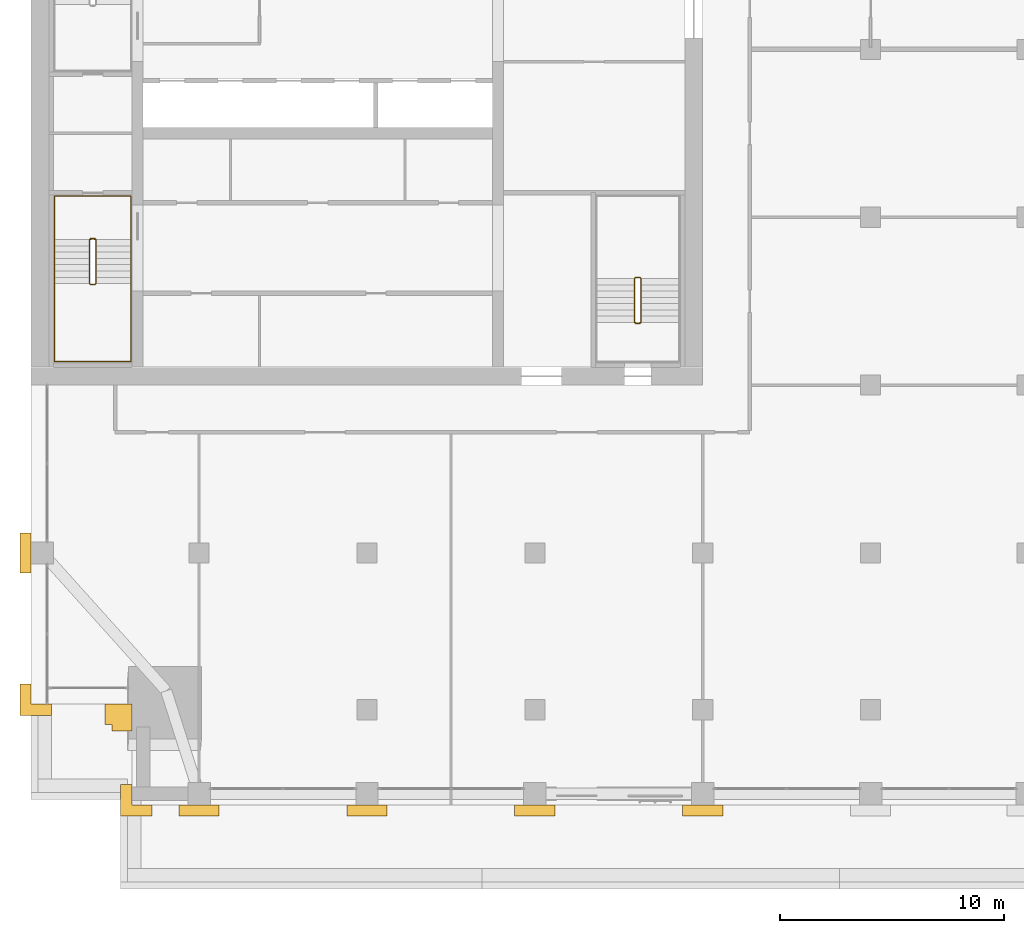
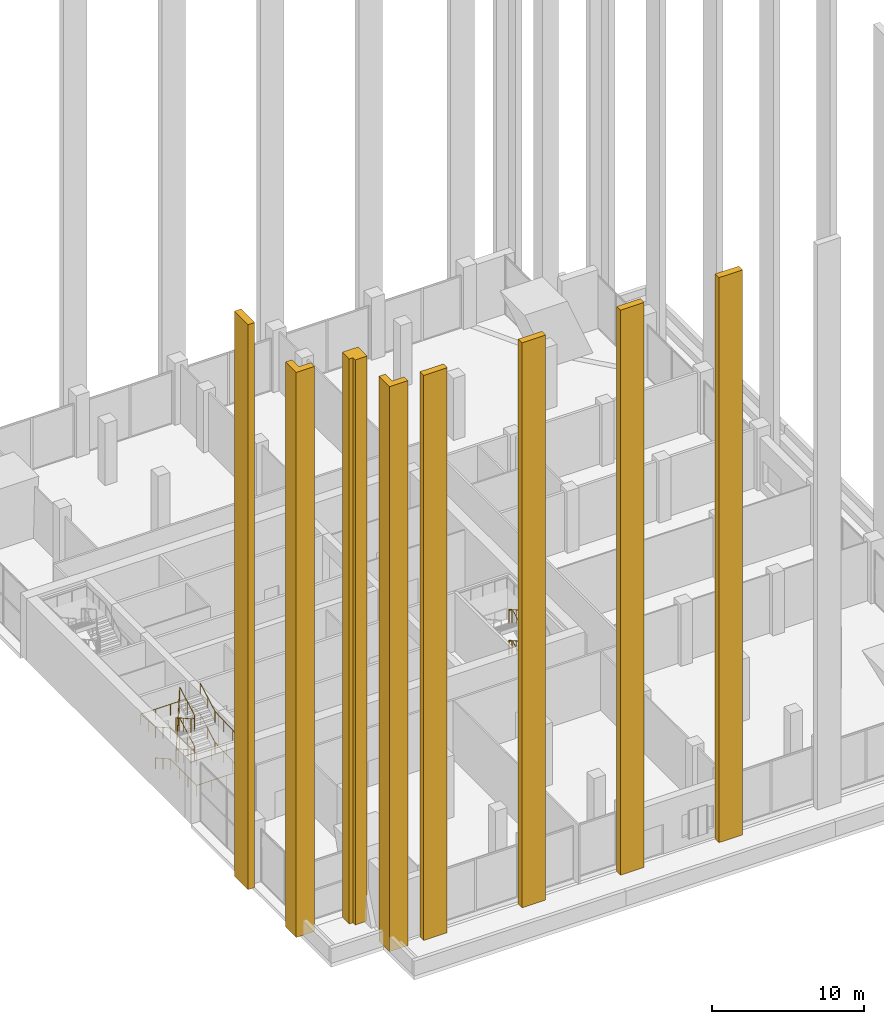
# One storey, part 17 of 19: 8 coverings, 3 railings.
"""IFC4 building model written with IfcOpenShell, lengths in metres."""

from ifc_helpers import new_model, si_unit, direction, frame, origin, origin_2d, place, context, subcontext, project, spatial, polyline, circle, outline, extrude, material, layer, layer_set, type_object, element, save


model = new_model("IFC4")

# Units and contexts
model_context = context("Model", 3, precision=1e-05, world=origin(), true_north=direction((0.0, 1.0)))
body_context = subcontext(model_context, "Body", "Model", "MODEL_VIEW")
ifc_project = project(units=[si_unit("LENGTHUNIT", "METRE"), si_unit("AREAUNIT", "SQUARE_METRE"), si_unit("VOLUMEUNIT", "CUBIC_METRE"), si_unit("PLANEANGLEUNIT", "RADIAN"), si_unit("MASSUNIT", "GRAM", prefix="KILO")], contexts=[model_context])

# Site, building, storey
site_placement = place(None, origin())
site = spatial("IfcSite", under=ifc_project, at=site_placement, CompositionType="ELEMENT")
building_placement = place(site_placement, origin())
building = spatial("IfcBuilding", under=site, at=building_placement, Name="Tamorin Gate", CompositionType="ELEMENT")
storey_placement = place(building_placement, frame((0.0, 0.0, 174.199951171875)))
storey = spatial("IfcBuildingStorey", under=building, at=storey_placement, Name="L42", CompositionType="ELEMENT", Elevation=174.199951171875)

# Coverings
ifc_material_1 = material(Name="Precast concrete C40/50", Category="concrete")
ifc_layer_1 = layer(ifc_material_1, 0.5)
ifc_layer_set_1 = layer_set([ifc_layer_1], Name="Corner pier cladding 500")
covering_type_1 = type_object("IfcCoveringType", Name="Corner pier cladding 500", PredefinedType="CLADDING", material=ifc_layer_set_1)
covering_1_placement = place(storey_placement, origin())
element("IfcCovering", 1, at=covering_1_placement, inside=storey, type_object=covering_type_1, Name="Corner pier", PredefinedType="CLADDING", context=body_context, shape_type="SweptSolid", body=[
    extrude(outline(polyline([(34.0, 40.75), (34.0, 42.14990234375), (34.5, 42.14990234375), (34.5, 41.25), (35.39990234375, 41.25), (35.39990234375, 40.75), (34.0, 40.75)])), origin(), (0.0, 0.0, 1.0), 45.5),
])
covering_2_placement = place(storey_placement, origin())
element("IfcCovering", 2, at=covering_2_placement, inside=storey, type_object=covering_type_1, Name="Corner pier", PredefinedType="CLADDING", context=body_context, shape_type="SweptSolid", body=[
    extrude(outline(polyline([(29.5, 45.25), (29.5, 46.64990234375), (30.0, 46.64990234375), (30.0, 45.75), (30.89990234375, 45.75), (30.89990234375, 45.25), (29.5, 45.25)])), origin(), (0.0, 0.0, 1.0), 45.5),
])
ifc_layer_2 = layer(ifc_material_1, 0.89990234375)
ifc_layer_set_2 = layer_set([ifc_layer_2], Name="Corner pier cladding 900")
covering_type_2 = type_object("IfcCoveringType", Name="Corner pier cladding 900", PredefinedType="CLADDING", material=ifc_layer_set_2)
covering_3_placement = place(storey_placement, origin())
element("IfcCovering", 3, at=covering_3_placement, inside=storey, type_object=covering_type_2, Name="Corner pier", PredefinedType="CLADDING", context=body_context, shape_type="SweptSolid", body=[
    extrude(outline(polyline([(33.300048828125, 44.85009765625), (33.300048828125, 45.75), (34.5, 45.75), (34.5, 44.550048828125), (33.60009765625, 44.550048828125), (33.60009765625, 44.85009765625), (33.300048828125, 44.85009765625)])), origin(), (0.0, 0.0, 1.0), 45.5),
])
ifc_layer_3 = layer(ifc_material_1, 0.5)
ifc_layer_set_3 = layer_set([ifc_layer_3], Name="Precast concrete C40/50")
covering_type_3 = type_object("IfcCoveringType", Name="Precast pier 1800x500", PredefinedType="CLADDING", material=ifc_layer_set_3)
covering_4_placement = place(storey_placement, origin())
element("IfcCovering", 4, at=covering_4_placement, inside=storey, type_object=covering_type_3, Name="Precast pier", PredefinedType="CLADDING", context=body_context, shape_type="SweptSolid", body=[
    extrude(outline(polyline([(36.60009765625, 41.25), (38.39990234375, 41.25), (38.39990234375, 40.75), (36.60009765625, 40.75), (36.60009765625, 41.25)])), origin(), (0.0, 0.0, 1.0), 45.5),
])
covering_5_placement = place(storey_placement, origin())
element("IfcCovering", 5, at=covering_5_placement, inside=storey, type_object=covering_type_3, Name="Precast pier", PredefinedType="CLADDING", context=body_context, shape_type="SweptSolid", body=[
    extrude(outline(polyline([(44.10009765625, 41.25), (45.89990234375, 41.25), (45.89990234375, 40.75), (44.10009765625, 40.75), (44.10009765625, 41.25)])), origin(), (0.0, 0.0, 1.0), 45.5),
])
covering_6_placement = place(storey_placement, origin())
element("IfcCovering", 6, at=covering_6_placement, inside=storey, type_object=covering_type_3, Name="Precast pier", PredefinedType="CLADDING", context=body_context, shape_type="SweptSolid", body=[
    extrude(outline(polyline([(51.60009765625, 41.25), (53.39990234375, 41.25), (53.39990234375, 40.75), (51.60009765625, 40.75), (51.60009765625, 41.25)])), origin(), (0.0, 0.0, 1.0), 45.5),
])
covering_7_placement = place(storey_placement, origin())
element("IfcCovering", 7, at=covering_7_placement, inside=storey, type_object=covering_type_3, Name="Precast pier", PredefinedType="CLADDING", context=body_context, shape_type="SweptSolid", body=[
    extrude(outline(polyline([(59.10009765625, 41.25), (60.89990234375, 41.25), (60.89990234375, 40.75), (59.10009765625, 40.75), (59.10009765625, 41.25)])), origin(), (0.0, 0.0, 1.0), 45.5),
])
covering_8_placement = place(storey_placement, origin())
element("IfcCovering", 8, at=covering_8_placement, inside=storey, type_object=covering_type_3, Name="Precast pier", PredefinedType="CLADDING", context=body_context, shape_type="SweptSolid", body=[
    extrude(outline(polyline([(30.0, 53.39990234375), (30.0, 51.60009765625), (29.5, 51.60009765625), (29.5, 53.39990234375), (30.0, 53.39990234375)])), origin(), (0.0, 0.0, 1.0), 45.5),
])

# Railings
ifc_material_2 = material(Name="Painted steel balustrade", Category="steel")
railing_type_1 = type_object("IfcRailingType", Name="Stair guard 1100", PredefinedType="GUARDRAIL", material=ifc_material_2)
railing_1_placement = place(storey_placement, frame((32.60009765625, 66.5, 0.15625)))
element("IfcRailing", 9, at=railing_1_placement, inside=storey, type_object=railing_type_1, Name="L42 ST1 stair guard 1", PredefinedType="GUARDRAIL", context=body_context, shape_type="SweptSolid", body=[
    extrude(circle(Radius=0.02392578125, at=origin_2d()), frame((0.0, 0.0, 1.076171875), z_axis=(0.0, -0.873232148454, 0.487304437602), x_axis=(1.0, 0.0, 0.0)), (0.0, 0.0, 1.0), 2.244384765625),
    extrude(circle(Radius=0.02392578125, at=origin_2d()), frame((0.0, -1.9599609375, 2.169921875), z_axis=(0.705375805398, -0.708833529934, 0.0), x_axis=(0.708833529934, 0.705375805398, 0.0)), (0.0, 0.0, 1.0), 0.070556640625),
    extrude(circle(Radius=0.02392578125, at=origin_2d()), frame((0.0498046875, -2.010009765625, 2.169921875), z_axis=(1.0, 0.0, 0.0), x_axis=(0.0, 1.0, 0.0)), (0.0, 0.0, 1.0), 0.2001953125),
    extrude(circle(Radius=0.02392578125, at=origin_2d()), frame((0.25, -2.010009765625, 2.169921875), z_axis=(0.290469530425, 0.291893400672, 0.911276958196), x_axis=(-0.708833529934, 0.705375805398, 0.0)), (0.0, 0.0, 1.0), 0.17138671875),
    extrude(circle(Radius=0.02392578125, at=origin_2d()), frame((0.2998046875, -1.9599609375, 2.326171875), z_axis=(0.0, 0.873232148454, 0.487304437602), x_axis=(-1.0, 0.0, 0.0)), (0.0, 0.0, 1.0), 2.244384765625),
    extrude(circle(Radius=0.02392578125, at=origin_2d()), frame((0.2998046875, 0.0, 3.419921875), z_axis=(-0.98054382908, 0.196300278283, 0.0), x_axis=(-0.196300278283, -0.98054382908, 0.0)), (0.0, 0.0, 1.0), 0.2548828125),
    extrude(circle(Radius=0.02392578125, at=origin_2d()), frame((0.0498046875, 0.050048828125, 3.419921875), z_axis=(1.0, 0.0, 0.0), x_axis=(0.0, 1.0, 0.0)), (0.0, 0.0, 1.0), 0.2001953125),
    extrude(circle(Radius=0.02392578125, at=origin_2d()), frame((0.25, 0.050048828125, 3.419921875), z_axis=(-0.836036486302, -0.167370585637, 0.522522803939), x_axis=(0.196300278283, -0.98054382908, 0.0)), (0.0, 0.0, 1.0), 0.299072265625),
    extrude(circle(Radius=0.02392578125, at=origin_2d()), frame((0.0, 0.0, 3.576171875), z_axis=(0.0, -0.873232148454, 0.487304437602), x_axis=(1.0, 0.0, 0.0)), (0.0, 0.0, 1.0), 2.244384765625),
    extrude(circle(Radius=0.02392578125, at=origin_2d()), frame((0.0, -1.9599609375, 4.669921875), z_axis=(0.705375805398, -0.708833529934, 0.0), x_axis=(0.708833529934, 0.705375805398, 0.0)), (0.0, 0.0, 1.0), 0.070556640625),
    extrude(circle(Radius=0.02392578125, at=origin_2d()), frame((0.0498046875, -2.010009765625, 4.669921875), z_axis=(1.0, 0.0, 0.0), x_axis=(0.0, 1.0, 0.0)), (0.0, 0.0, 1.0), 0.2001953125),
    extrude(circle(Radius=0.02392578125, at=origin_2d()), frame((0.25, -2.010009765625, 4.669921875), z_axis=(0.290469530425, 0.291893400672, 0.911276958196), x_axis=(-0.708833529934, 0.705375805398, 0.0)), (0.0, 0.0, 1.0), 0.17138671875),
    extrude(circle(Radius=0.02392578125, at=origin_2d()), frame((0.2998046875, -1.9599609375, 4.826171875), z_axis=(0.0, 0.873232148454, 0.487304437602), x_axis=(-1.0, 0.0, 0.0)), (0.0, 0.0, 1.0), 2.244384765625),
    extrude(circle(Radius=0.02392578125, at=origin_2d()), frame((0.2998046875, 0.0, 5.919921875), z_axis=(-0.04993512161, 0.009996777275, -0.998702432196), x_axis=(-0.196300278283, -0.98054382908, 0.0)), (0.0, 0.0, 1.0), 5.006591796875),
    extrude(circle(Radius=0.02392578125, at=origin_2d()), frame((0.0498046875, 0.050048828125, 0.919921875), z_axis=(1.0, 0.0, 0.0), x_axis=(0.0, 1.0, 0.0)), (0.0, 0.0, 1.0), 0.2001953125),
    extrude(circle(Radius=0.02099609375, at=origin_2d()), origin(), (0.0, 0.0, 1.0), 1.052001953125),
    extrude(circle(Radius=0.02099609375, at=origin_2d()), frame((0.0, -0.97998046875, 0.546875)), (0.0, 0.0, 1.0), 1.052001953125),
    extrude(circle(Radius=0.02099609375, at=origin_2d()), frame((0.0, -1.9599609375, 1.09375)), (0.0, 0.0, 1.0), 1.052001953125),
    extrude(circle(Radius=0.02099609375, at=origin_2d()), frame((0.0498046875, -2.010009765625, 1.09375)), (0.0, 0.0, 1.0), 1.052001953125),
    extrude(circle(Radius=0.02099609375, at=origin_2d()), frame((0.25, -2.010009765625, 1.09375)), (0.0, 0.0, 1.0), 1.052001953125),
    extrude(circle(Radius=0.02099609375, at=origin_2d()), frame((0.2998046875, -1.9599609375, 1.25)), (0.0, 0.0, 1.0), 1.052001953125),
    extrude(circle(Radius=0.02099609375, at=origin_2d()), frame((0.2998046875, -0.97998046875, 1.796875)), (0.0, 0.0, 1.0), 1.052001953125),
    extrude(circle(Radius=0.02099609375, at=origin_2d()), frame((0.2998046875, 0.0, 2.34375)), (0.0, 0.0, 1.0), 1.052001953125),
    extrude(circle(Radius=0.02099609375, at=origin_2d()), frame((0.0498046875, 0.050048828125, 2.34375)), (0.0, 0.0, 1.0), 1.052001953125),
    extrude(circle(Radius=0.02099609375, at=origin_2d()), frame((0.25, 0.050048828125, 2.34375)), (0.0, 0.0, 1.0), 1.052001953125),
    extrude(circle(Radius=0.02099609375, at=origin_2d()), frame((0.0, 0.0, 2.5)), (0.0, 0.0, 1.0), 1.052001953125),
    extrude(circle(Radius=0.02099609375, at=origin_2d()), frame((0.0, -0.97998046875, 3.046875)), (0.0, 0.0, 1.0), 1.052001953125),
    extrude(circle(Radius=0.02099609375, at=origin_2d()), frame((0.0, -1.9599609375, 3.59375)), (0.0, 0.0, 1.0), 1.052001953125),
    extrude(circle(Radius=0.02099609375, at=origin_2d()), frame((0.0498046875, -2.010009765625, 3.59375)), (0.0, 0.0, 1.0), 1.052001953125),
    extrude(circle(Radius=0.02099609375, at=origin_2d()), frame((0.25, -2.010009765625, 3.59375)), (0.0, 0.0, 1.0), 1.052001953125),
    extrude(circle(Radius=0.02099609375, at=origin_2d()), frame((0.2998046875, -1.9599609375, 3.75)), (0.0, 0.0, 1.0), 1.052001953125),
    extrude(circle(Radius=0.02099609375, at=origin_2d()), frame((0.2998046875, -0.97998046875, 4.296875)), (0.0, 0.0, 1.0), 1.052001953125),
    extrude(circle(Radius=0.02099609375, at=origin_2d()), frame((0.2998046875, 0.0, 4.84375)), (0.0, 0.0, 1.0), 1.052001953125),
    extrude(circle(Radius=0.02099609375, at=origin_2d()), frame((0.249755859375, 0.010009765625, 3.84375)), (0.0, 0.0, 1.0), 1.052001953125),
    extrude(circle(Radius=0.02099609375, at=origin_2d()), frame((0.19970703125, 0.02001953125, 2.84375)), (0.0, 0.0, 1.0), 1.052001953125),
    extrude(circle(Radius=0.02099609375, at=origin_2d()), frame((0.14990234375, 0.030029296875, 1.84375)), (0.0, 0.0, 1.0), 1.052001953125),
    extrude(circle(Radius=0.02099609375, at=origin_2d()), frame((0.099853515625, 0.0400390625, 0.84375)), (0.0, 0.0, 1.0), 1.052001953125),
    extrude(circle(Radius=0.02099609375, at=origin_2d()), frame((0.0498046875, 0.050048828125, -0.15625)), (0.0, 0.0, 1.0), 1.052001953125),
    extrude(circle(Radius=0.02099609375, at=origin_2d()), frame((0.25, 0.050048828125, -0.15625)), (0.0, 0.0, 1.0), 1.052001953125),
])
railing_2_placement = place(storey_placement, frame((57.25, 62.800048828125, 0.15625)))
element("IfcRailing", 10, at=railing_2_placement, inside=storey, type_object=railing_type_1, Name="L42 ST3 stair guard 1", PredefinedType="GUARDRAIL", context=body_context, shape_type="SweptSolid", body=[
    extrude(circle(Radius=0.02392578125, at=origin_2d()), frame((0.0, 0.0, 1.076171875), z_axis=(0.0, 0.873232148454, 0.487304437602), x_axis=(-1.0, 0.0, 0.0)), (0.0, 0.0, 1.0), 2.244384765625),
    extrude(circle(Radius=0.02392578125, at=origin_2d()), frame((0.0, 1.9599609375, 2.169921875), z_axis=(-0.707106781187, 0.707106781187, 0.0), x_axis=(-0.707106781187, -0.707106781187, 0.0)), (0.0, 0.0, 1.0), 0.07080078125),
    extrude(circle(Radius=0.02392578125, at=origin_2d()), frame((-0.050048828125, 2.010009765625, 2.169921875), z_axis=(-1.0, 0.0, 0.0), x_axis=(0.0, -1.0, 0.0)), (0.0, 0.0, 1.0), 0.199951171875),
    extrude(circle(Radius=0.02392578125, at=origin_2d()), frame((-0.25, 2.010009765625, 2.169921875), z_axis=(-0.29177245553, -0.29177245553, 0.91089937336), x_axis=(0.707106781187, -0.707106781187, 0.0)), (0.0, 0.0, 1.0), 0.171630859375),
    extrude(circle(Radius=0.02392578125, at=origin_2d()), frame((-0.300048828125, 1.9599609375, 2.326171875), z_axis=(0.0, -0.873232148454, 0.487304437602), x_axis=(1.0, 0.0, 0.0)), (0.0, 0.0, 1.0), 2.244384765625),
    extrude(circle(Radius=0.02392578125, at=origin_2d()), frame((-0.300048828125, 0.0, 3.419921875), z_axis=(0.98054382908, -0.196300278283, 0.0), x_axis=(0.196300278283, 0.98054382908, 0.0)), (0.0, 0.0, 1.0), 0.2548828125),
    extrude(circle(Radius=0.02392578125, at=origin_2d()), frame((-0.050048828125, -0.050048828125, 3.419921875), z_axis=(-1.0, 0.0, 0.0), x_axis=(0.0, -1.0, 0.0)), (0.0, 0.0, 1.0), 0.199951171875),
    extrude(circle(Radius=0.02392578125, at=origin_2d()), frame((-0.25, -0.050048828125, 3.419921875), z_axis=(0.836036486302, 0.167370585637, 0.522522803939), x_axis=(-0.196300278283, 0.98054382908, 0.0)), (0.0, 0.0, 1.0), 0.299072265625),
    extrude(circle(Radius=0.02392578125, at=origin_2d()), frame((0.0, 0.0, 3.576171875), z_axis=(0.0, 0.873232148454, 0.487304437602), x_axis=(-1.0, 0.0, 0.0)), (0.0, 0.0, 1.0), 2.244384765625),
    extrude(circle(Radius=0.02392578125, at=origin_2d()), frame((0.0, 1.9599609375, 4.669921875), z_axis=(-0.707106781187, 0.707106781187, 0.0), x_axis=(-0.707106781187, -0.707106781187, 0.0)), (0.0, 0.0, 1.0), 0.07080078125),
    extrude(circle(Radius=0.02392578125, at=origin_2d()), frame((-0.050048828125, 2.010009765625, 4.669921875), z_axis=(-1.0, 0.0, 0.0), x_axis=(0.0, -1.0, 0.0)), (0.0, 0.0, 1.0), 0.199951171875),
    extrude(circle(Radius=0.02392578125, at=origin_2d()), frame((-0.25, 2.010009765625, 4.669921875), z_axis=(-0.29177245553, -0.29177245553, 0.91089937336), x_axis=(0.707106781187, -0.707106781187, 0.0)), (0.0, 0.0, 1.0), 0.171630859375),
    extrude(circle(Radius=0.02392578125, at=origin_2d()), frame((-0.300048828125, 1.9599609375, 4.826171875), z_axis=(0.0, -0.873232148454, 0.487304437602), x_axis=(1.0, 0.0, 0.0)), (0.0, 0.0, 1.0), 2.244384765625),
    extrude(circle(Radius=0.02392578125, at=origin_2d()), frame((-0.300048828125, 0.0, 5.919921875), z_axis=(0.04993512161, -0.009996777275, -0.998702432196), x_axis=(0.196300278283, 0.98054382908, 0.0)), (0.0, 0.0, 1.0), 5.006591796875),
    extrude(circle(Radius=0.02392578125, at=origin_2d()), frame((-0.050048828125, -0.050048828125, 0.919921875), z_axis=(-1.0, 0.0, 0.0), x_axis=(0.0, -1.0, 0.0)), (0.0, 0.0, 1.0), 0.199951171875),
    extrude(circle(Radius=0.02099609375, at=origin_2d()), origin(), (0.0, 0.0, 1.0), 1.052001953125),
    extrude(circle(Radius=0.02099609375, at=origin_2d()), frame((0.0, 0.97998046875, 0.546875)), (0.0, 0.0, 1.0), 1.052001953125),
    extrude(circle(Radius=0.02099609375, at=origin_2d()), frame((0.0, 1.9599609375, 1.09375)), (0.0, 0.0, 1.0), 1.052001953125),
    extrude(circle(Radius=0.02099609375, at=origin_2d()), frame((-0.050048828125, 2.010009765625, 1.09375)), (0.0, 0.0, 1.0), 1.052001953125),
    extrude(circle(Radius=0.02099609375, at=origin_2d()), frame((-0.25, 2.010009765625, 1.09375)), (0.0, 0.0, 1.0), 1.052001953125),
    extrude(circle(Radius=0.02099609375, at=origin_2d()), frame((-0.300048828125, 1.9599609375, 1.25)), (0.0, 0.0, 1.0), 1.052001953125),
    extrude(circle(Radius=0.02099609375, at=origin_2d()), frame((-0.300048828125, 0.97998046875, 1.796875)), (0.0, 0.0, 1.0), 1.052001953125),
    extrude(circle(Radius=0.02099609375, at=origin_2d()), frame((-0.300048828125, 0.0, 2.34375)), (0.0, 0.0, 1.0), 1.052001953125),
    extrude(circle(Radius=0.02099609375, at=origin_2d()), frame((-0.050048828125, -0.050048828125, 2.34375)), (0.0, 0.0, 1.0), 1.052001953125),
    extrude(circle(Radius=0.02099609375, at=origin_2d()), frame((-0.25, -0.050048828125, 2.34375)), (0.0, 0.0, 1.0), 1.052001953125),
    extrude(circle(Radius=0.02099609375, at=origin_2d()), frame((0.0, 0.0, 2.5)), (0.0, 0.0, 1.0), 1.052001953125),
    extrude(circle(Radius=0.02099609375, at=origin_2d()), frame((0.0, 0.97998046875, 3.046875)), (0.0, 0.0, 1.0), 1.052001953125),
    extrude(circle(Radius=0.02099609375, at=origin_2d()), frame((0.0, 1.9599609375, 3.59375)), (0.0, 0.0, 1.0), 1.052001953125),
    extrude(circle(Radius=0.02099609375, at=origin_2d()), frame((-0.050048828125, 2.010009765625, 3.59375)), (0.0, 0.0, 1.0), 1.052001953125),
    extrude(circle(Radius=0.02099609375, at=origin_2d()), frame((-0.25, 2.010009765625, 3.59375)), (0.0, 0.0, 1.0), 1.052001953125),
    extrude(circle(Radius=0.02099609375, at=origin_2d()), frame((-0.300048828125, 1.9599609375, 3.75)), (0.0, 0.0, 1.0), 1.052001953125),
    extrude(circle(Radius=0.02099609375, at=origin_2d()), frame((-0.300048828125, 0.97998046875, 4.296875)), (0.0, 0.0, 1.0), 1.052001953125),
    extrude(circle(Radius=0.02099609375, at=origin_2d()), frame((-0.300048828125, 0.0, 4.84375)), (0.0, 0.0, 1.0), 1.052001953125),
    extrude(circle(Radius=0.02099609375, at=origin_2d()), frame((-0.25, -0.010009765625, 3.84375)), (0.0, 0.0, 1.0), 1.052001953125),
    extrude(circle(Radius=0.02099609375, at=origin_2d()), frame((-0.199951171875, -0.02001953125, 2.84375)), (0.0, 0.0, 1.0), 1.052001953125),
    extrude(circle(Radius=0.02099609375, at=origin_2d()), frame((-0.150146484375, -0.030029296875, 1.84375)), (0.0, 0.0, 1.0), 1.052001953125),
    extrude(circle(Radius=0.02099609375, at=origin_2d()), frame((-0.10009765625, -0.0400390625, 0.84375)), (0.0, 0.0, 1.0), 1.052001953125),
    extrude(circle(Radius=0.02099609375, at=origin_2d()), frame((-0.050048828125, -0.050048828125, -0.15625)), (0.0, 0.0, 1.0), 1.052001953125),
    extrude(circle(Radius=0.02099609375, at=origin_2d()), frame((-0.25, -0.050048828125, -0.15625)), (0.0, 0.0, 1.0), 1.052001953125),
])
ifc_material_3 = material(Name="Painted steel handrail", Category="steel")
railing_type_2 = type_object("IfcRailingType", Name="Stair handrail 900", PredefinedType="HANDRAIL", material=ifc_material_3)
railing_3_placement = place(storey_placement, frame((31.050048828125, 66.5, 0.15625)))
element("IfcRailing", 11, at=railing_3_placement, inside=storey, type_object=railing_type_2, Name="L42 ST1 stair handrail 1", PredefinedType="HANDRAIL", context=body_context, shape_type="SweptSolid", body=[
    extrude(circle(Radius=0.02392578125, at=origin_2d()), frame((0.0, 0.0, 0.8759765625), z_axis=(0.0, -0.873232148454, 0.487304437602), x_axis=(1.0, 0.0, 0.0)), (0.0, 0.0, 1.0), 2.244384765625),
    extrude(circle(Radius=0.02392578125, at=origin_2d()), frame((0.0, -1.9599609375, 1.9697265625), z_axis=(0.0, -1.0, 0.0), x_axis=(1.0, 0.0, 0.0)), (0.0, 0.0, 1.0), 3.489990234375),
    extrude(circle(Radius=0.02392578125, at=origin_2d()), frame((0.0, -5.449951171875, 1.9697265625), z_axis=(1.0, 0.0, 0.0), x_axis=(0.0, 1.0, 0.0)), (0.0, 0.0, 1.0), 3.39990234375),
    extrude(circle(Radius=0.02392578125, at=origin_2d()), frame((3.39990234375, -5.449951171875, 1.9697265625), z_axis=(0.0, 0.99899928745, 0.044726096115), x_axis=(-1.0, 0.0, 0.0)), (0.0, 0.0, 1.0), 3.493408203125),
    extrude(circle(Radius=0.02392578125, at=origin_2d()), frame((3.39990234375, -1.9599609375, 2.1259765625), z_axis=(0.0, 0.873232148454, 0.487304437602), x_axis=(-1.0, 0.0, 0.0)), (0.0, 0.0, 1.0), 2.244384765625),
    extrude(circle(Radius=0.02392578125, at=origin_2d()), frame((3.39990234375, 0.0, 3.2197265625), z_axis=(0.0, 1.0, 0.0), x_axis=(-1.0, 0.0, 0.0)), (0.0, 0.0, 1.0), 1.949951171875),
    extrude(circle(Radius=0.02392578125, at=origin_2d()), frame((3.39990234375, 1.949951171875, 3.2197265625), z_axis=(-1.0, 0.0, 0.0), x_axis=(0.0, -1.0, 0.0)), (0.0, 0.0, 1.0), 3.39990234375),
    extrude(circle(Radius=0.02392578125, at=origin_2d()), frame((0.0, 1.949951171875, 3.2197265625), z_axis=(0.0, -0.996804952581, 0.079874191768), x_axis=(1.0, 0.0, 0.0)), (0.0, 0.0, 1.0), 1.956298828125),
    extrude(circle(Radius=0.02392578125, at=origin_2d()), frame((0.0, 0.0, 3.3759765625), z_axis=(0.0, -0.873232148454, 0.487304437602), x_axis=(1.0, 0.0, 0.0)), (0.0, 0.0, 1.0), 2.244384765625),
    extrude(circle(Radius=0.02392578125, at=origin_2d()), frame((0.0, -1.9599609375, 4.4697265625), z_axis=(0.0, -1.0, 0.0), x_axis=(1.0, 0.0, 0.0)), (0.0, 0.0, 1.0), 3.489990234375),
    extrude(circle(Radius=0.02392578125, at=origin_2d()), frame((0.0, -5.449951171875, 4.4697265625), z_axis=(1.0, 0.0, 0.0), x_axis=(0.0, 1.0, 0.0)), (0.0, 0.0, 1.0), 3.39990234375),
    extrude(circle(Radius=0.02392578125, at=origin_2d()), frame((3.39990234375, -5.449951171875, 4.4697265625), z_axis=(0.0, 0.99899928745, 0.044726096115), x_axis=(-1.0, 0.0, 0.0)), (0.0, 0.0, 1.0), 3.493408203125),
    extrude(circle(Radius=0.02392578125, at=origin_2d()), frame((3.39990234375, -1.9599609375, 4.6259765625), z_axis=(0.0, 0.873232148454, 0.487304437602), x_axis=(-1.0, 0.0, 0.0)), (0.0, 0.0, 1.0), 2.244384765625),
    extrude(circle(Radius=0.02099609375, at=origin_2d()), origin(), (0.0, 0.0, 1.0), 0.851806640625),
    extrude(circle(Radius=0.02099609375, at=origin_2d()), frame((0.0, -0.97998046875, 0.546875)), (0.0, 0.0, 1.0), 0.851806640625),
    extrude(circle(Radius=0.02099609375, at=origin_2d()), frame((0.0, -1.9599609375, 1.09375)), (0.0, 0.0, 1.0), 0.851806640625),
    extrude(circle(Radius=0.02099609375, at=origin_2d()), frame((0.0, -3.123291015625, 1.09375)), (0.0, 0.0, 1.0), 0.851806640625),
    extrude(circle(Radius=0.02099609375, at=origin_2d()), frame((0.0, -4.28662109375, 1.09375)), (0.0, 0.0, 1.0), 0.851806640625),
    extrude(circle(Radius=0.02099609375, at=origin_2d()), frame((0.0, -5.449951171875, 1.09375)), (0.0, 0.0, 1.0), 0.851806640625),
    extrude(circle(Radius=0.02099609375, at=origin_2d()), frame((1.13330078125, -5.449951171875, 1.09375)), (0.0, 0.0, 1.0), 0.851806640625),
    extrude(circle(Radius=0.02099609375, at=origin_2d()), frame((2.2666015625, -5.449951171875, 1.09375)), (0.0, 0.0, 1.0), 0.851806640625),
    extrude(circle(Radius=0.02099609375, at=origin_2d()), frame((3.39990234375, -5.449951171875, 1.09375)), (0.0, 0.0, 1.0), 0.851806640625),
    extrude(circle(Radius=0.02099609375, at=origin_2d()), frame((3.39990234375, -4.28662109375, 1.145751953125)), (0.0, 0.0, 1.0), 0.851806640625),
    extrude(circle(Radius=0.02099609375, at=origin_2d()), frame((3.39990234375, -3.123291015625, 1.197998046875)), (0.0, 0.0, 1.0), 0.851806640625),
    extrude(circle(Radius=0.02099609375, at=origin_2d()), frame((3.39990234375, -1.9599609375, 1.25)), (0.0, 0.0, 1.0), 0.851806640625),
    extrude(circle(Radius=0.02099609375, at=origin_2d()), frame((3.39990234375, -0.97998046875, 1.796875)), (0.0, 0.0, 1.0), 0.851806640625),
    extrude(circle(Radius=0.02099609375, at=origin_2d()), frame((3.39990234375, 0.0, 2.34375)), (0.0, 0.0, 1.0), 0.851806640625),
    extrude(circle(Radius=0.02099609375, at=origin_2d()), frame((3.39990234375, 0.97509765625, 2.34375)), (0.0, 0.0, 1.0), 0.851806640625),
    extrude(circle(Radius=0.02099609375, at=origin_2d()), frame((3.39990234375, 1.949951171875, 2.34375)), (0.0, 0.0, 1.0), 0.851806640625),
    extrude(circle(Radius=0.02099609375, at=origin_2d()), frame((2.2666015625, 1.949951171875, 2.34375)), (0.0, 0.0, 1.0), 0.851806640625),
    extrude(circle(Radius=0.02099609375, at=origin_2d()), frame((1.13330078125, 1.949951171875, 2.34375)), (0.0, 0.0, 1.0), 0.851806640625),
    extrude(circle(Radius=0.02099609375, at=origin_2d()), frame((0.0, 1.949951171875, 2.34375)), (0.0, 0.0, 1.0), 0.851806640625),
    extrude(circle(Radius=0.02099609375, at=origin_2d()), frame((0.0, 0.97509765625, 2.421875)), (0.0, 0.0, 1.0), 0.851806640625),
    extrude(circle(Radius=0.02099609375, at=origin_2d()), frame((0.0, 0.0, 2.5)), (0.0, 0.0, 1.0), 0.851806640625),
    extrude(circle(Radius=0.02099609375, at=origin_2d()), frame((0.0, -0.97998046875, 3.046875)), (0.0, 0.0, 1.0), 0.851806640625),
    extrude(circle(Radius=0.02099609375, at=origin_2d()), frame((0.0, -1.9599609375, 3.59375)), (0.0, 0.0, 1.0), 0.851806640625),
    extrude(circle(Radius=0.02099609375, at=origin_2d()), frame((0.0, -3.123291015625, 3.59375)), (0.0, 0.0, 1.0), 0.851806640625),
    extrude(circle(Radius=0.02099609375, at=origin_2d()), frame((0.0, -4.28662109375, 3.59375)), (0.0, 0.0, 1.0), 0.851806640625),
    extrude(circle(Radius=0.02099609375, at=origin_2d()), frame((0.0, -5.449951171875, 3.59375)), (0.0, 0.0, 1.0), 0.851806640625),
    extrude(circle(Radius=0.02099609375, at=origin_2d()), frame((1.13330078125, -5.449951171875, 3.59375)), (0.0, 0.0, 1.0), 0.851806640625),
    extrude(circle(Radius=0.02099609375, at=origin_2d()), frame((2.2666015625, -5.449951171875, 3.59375)), (0.0, 0.0, 1.0), 0.851806640625),
    extrude(circle(Radius=0.02099609375, at=origin_2d()), frame((3.39990234375, -5.449951171875, 3.59375)), (0.0, 0.0, 1.0), 0.851806640625),
    extrude(circle(Radius=0.02099609375, at=origin_2d()), frame((3.39990234375, -4.28662109375, 3.645751953125)), (0.0, 0.0, 1.0), 0.851806640625),
    extrude(circle(Radius=0.02099609375, at=origin_2d()), frame((3.39990234375, -3.123291015625, 3.697998046875)), (0.0, 0.0, 1.0), 0.851806640625),
    extrude(circle(Radius=0.02099609375, at=origin_2d()), frame((3.39990234375, -1.9599609375, 3.75)), (0.0, 0.0, 1.0), 0.851806640625),
    extrude(circle(Radius=0.02099609375, at=origin_2d()), frame((3.39990234375, -0.97998046875, 4.296875)), (0.0, 0.0, 1.0), 0.851806640625),
    extrude(circle(Radius=0.02099609375, at=origin_2d()), frame((3.39990234375, 0.0, 4.84375)), (0.0, 0.0, 1.0), 0.851806640625),
])

save(model, "model.ifc")
